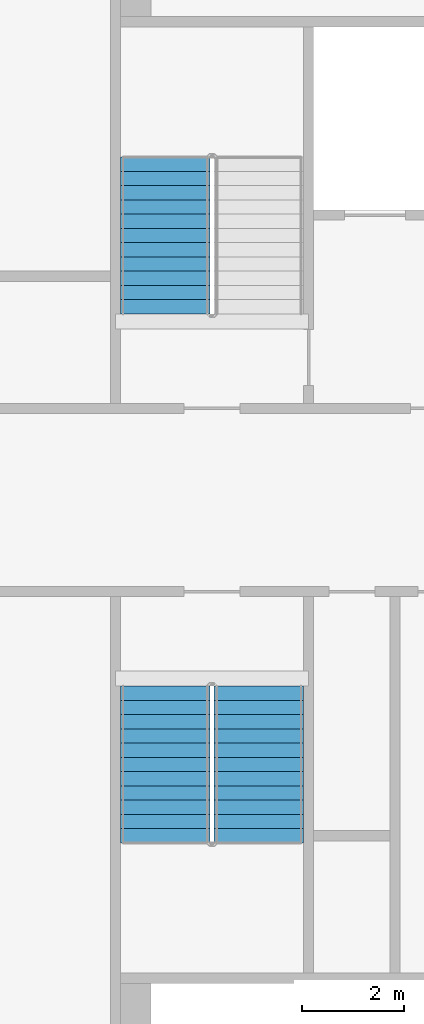
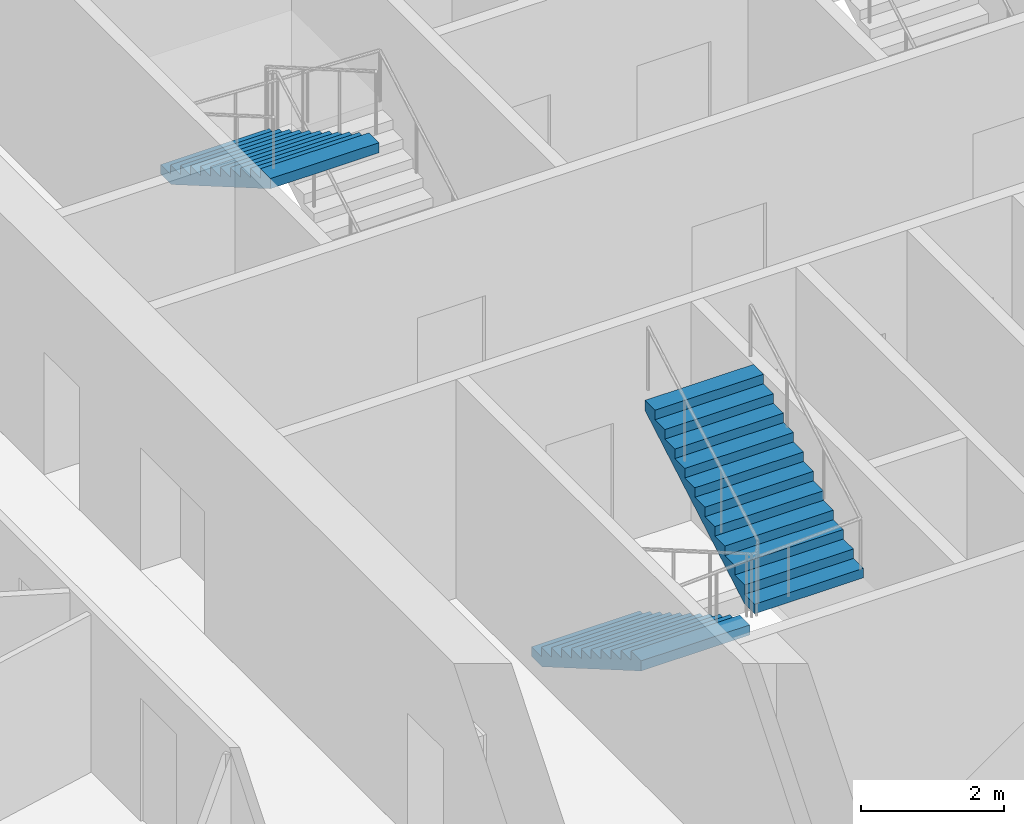
# One storey, part 7 of 14: 3 stair flights, 2 elements without a shape of their own.
"""IFC4 building model written with IfcOpenShell, lengths in metres."""

from ifc_helpers import new_model, si_unit, direction, frame, origin, place, context, subcontext, project, spatial, faceted_brep, material, type_object, element, aggregate, save


model = new_model("IFC4")

# Units and contexts
model_context = context("Model", 3, precision=1e-05, world=origin(), true_north=direction((0.0, 1.0)))
body_context = subcontext(model_context, "Body", "Model", "MODEL_VIEW")
ifc_project = project(units=[si_unit("LENGTHUNIT", "METRE"), si_unit("AREAUNIT", "SQUARE_METRE"), si_unit("VOLUMEUNIT", "CUBIC_METRE"), si_unit("PLANEANGLEUNIT", "RADIAN"), si_unit("MASSUNIT", "GRAM", prefix="KILO")], contexts=[model_context])

# Site, building, storey
site_placement = place(None, origin())
site = spatial("IfcSite", under=ifc_project, at=site_placement, CompositionType="ELEMENT")
building_placement = place(site_placement, origin())
building = spatial("IfcBuilding", under=site, at=building_placement, Name="Tarsis Ring Headquarters", CompositionType="ELEMENT")
storey_placement = place(building_placement, frame((0.0, 0.0, 182.699951171875)))
storey = spatial("IfcBuildingStorey", under=building, at=storey_placement, Name="L42", CompositionType="ELEMENT", Elevation=182.699951171875)

# Stair, stair flight
ifc_material_1 = material(Name="Core stair 1760")
stair_type = type_object("IfcStairType", Name="Core stair 1760", PredefinedType="HALF_TURN_STAIR", material=ifc_material_1)
stair_1_placement = place(storey_placement, origin())
stair_1 = element("IfcStair", 1, at=stair_1_placement, inside=storey, type_object=stair_type, Name="L42 Firefighting stair", PredefinedType="HALF_TURN_STAIR")
ifc_material_2 = material(Name="Concrete C40/50", Category="concrete")
stair_flight_type = type_object("IfcStairFlightType", Name="Core stair flight 1760", PredefinedType="STRAIGHT", material=ifc_material_2)
stair_flight_1_placement = place(storey_placement, frame((-5.419921875, 6.739990234375, 1.949951171875), z_axis=(0.0, 0.0, 1.0), x_axis=(0.0, -1.0, 0.0)))
stair_flight_1 = element("IfcStairFlight", 2, at=stair_flight_1_placement, type_object=stair_flight_type, Name="Stair ST1 flight 2", NumberOfRisers=12, NumberOfTreads=11, PredefinedType="STRAIGHT", RiserHeight=0.1625, TreadLength=0.28, context=body_context, shape_type="Brep", body=[
    faceted_brep([(0.0, 0.8798828125, 0.0), (0.0, 0.8798828125, 0.16259765625), (0.280029296875, 0.8798828125, 0.16259765625), (0.280029296875, 0.8798828125, 0.324951171875), (0.56005859375, 0.8798828125, 0.324951171875), (0.56005859375, 0.8798828125, 0.487548828125), (0.840087890625, 0.8798828125, 0.487548828125), (0.840087890625, 0.8798828125, 0.64990234375), (1.1201171875, 0.8798828125, 0.64990234375), (1.1201171875, 0.8798828125, 0.8125), (1.39990234375, 0.8798828125, 0.8125), (1.39990234375, 0.8798828125, 0.97509765625), (1.679931640625, 0.8798828125, 0.97509765625), (1.679931640625, 0.8798828125, 1.137451171875), (1.9599609375, 0.8798828125, 1.137451171875), (1.9599609375, 0.8798828125, 1.300048828125), (2.239990234375, 0.8798828125, 1.300048828125), (2.239990234375, 0.8798828125, 1.46240234375), (2.52001953125, 0.8798828125, 1.46240234375), (2.52001953125, 0.8798828125, 1.625), (2.800048828125, 0.8798828125, 1.625), (2.800048828125, 0.8798828125, 1.78759765625), (3.080078125, 0.8798828125, 1.78759765625), (3.080078125, 0.8798828125, 1.6142578125), (0.298583984375, 0.8798828125, 0.0), (0.298583984375, -0.8798828125, 0.0), (3.080078125, -0.8798828125, 1.6142578125), (3.080078125, -0.8798828125, 1.78759765625), (2.800048828125, -0.8798828125, 1.78759765625), (2.800048828125, -0.8798828125, 1.625), (2.52001953125, -0.8798828125, 1.625), (2.52001953125, -0.8798828125, 1.46240234375), (2.239990234375, -0.8798828125, 1.46240234375), (2.239990234375, -0.8798828125, 1.300048828125), (1.9599609375, -0.8798828125, 1.300048828125), (1.9599609375, -0.8798828125, 1.137451171875), (1.679931640625, -0.8798828125, 1.137451171875), (1.679931640625, -0.8798828125, 0.97509765625), (1.39990234375, -0.8798828125, 0.97509765625), (1.39990234375, -0.8798828125, 0.8125), (1.1201171875, -0.8798828125, 0.8125), (1.1201171875, -0.8798828125, 0.64990234375), (0.840087890625, -0.8798828125, 0.64990234375), (0.840087890625, -0.8798828125, 0.487548828125), (0.56005859375, -0.8798828125, 0.487548828125), (0.56005859375, -0.8798828125, 0.324951171875), (0.280029296875, -0.8798828125, 0.324951171875), (0.280029296875, -0.8798828125, 0.16259765625), (0.0, -0.8798828125, 0.16259765625), (0.0, -0.8798828125, 0.0), (0.0, -0.43994140625, 0.16259765625), (0.0, -0.43994140625, 0.0), (0.0, 0.0, 0.16259765625), (0.0, 0.0, 0.0), (0.0, 0.43994140625, 0.16259765625), (0.0, 0.43994140625, 0.0), (0.280029296875, -0.43994140625, 0.16259765625), (0.280029296875, 0.0, 0.16259765625), (0.280029296875, 0.43994140625, 0.16259765625), (0.280029296875, -0.43994140625, 0.324951171875), (0.280029296875, 0.0, 0.324951171875), (0.280029296875, 0.43994140625, 0.324951171875), (0.56005859375, -0.43994140625, 0.324951171875), (0.56005859375, 0.0, 0.324951171875), (0.56005859375, 0.43994140625, 0.324951171875), (0.56005859375, -0.43994140625, 0.487548828125), (0.56005859375, 0.0, 0.487548828125), (0.56005859375, 0.43994140625, 0.487548828125), (0.840087890625, -0.43994140625, 0.487548828125), (0.840087890625, 0.0, 0.487548828125), (0.840087890625, 0.43994140625, 0.487548828125), (0.840087890625, -0.43994140625, 0.64990234375), (0.840087890625, 0.0, 0.64990234375), (0.840087890625, 0.43994140625, 0.64990234375), (1.1201171875, -0.43994140625, 0.64990234375), (1.1201171875, 0.0, 0.64990234375), (1.1201171875, 0.43994140625, 0.64990234375), (1.1201171875, -0.43994140625, 0.8125), (1.1201171875, 0.0, 0.8125), (1.1201171875, 0.43994140625, 0.8125), (1.39990234375, -0.43994140625, 0.8125), (1.39990234375, 0.0, 0.8125), (1.39990234375, 0.43994140625, 0.8125), (1.39990234375, -0.43994140625, 0.97509765625), (1.39990234375, 0.0, 0.97509765625), (1.39990234375, 0.43994140625, 0.97509765625), (1.679931640625, -0.43994140625, 0.97509765625), (1.679931640625, 0.0, 0.97509765625), (1.679931640625, 0.43994140625, 0.97509765625), (1.679931640625, -0.43994140625, 1.137451171875), (1.679931640625, 0.0, 1.137451171875), (1.679931640625, 0.43994140625, 1.137451171875), (1.9599609375, -0.43994140625, 1.137451171875), (1.9599609375, 0.0, 1.137451171875), (1.9599609375, 0.43994140625, 1.137451171875), (1.9599609375, -0.43994140625, 1.300048828125), (1.9599609375, 0.0, 1.300048828125), (1.9599609375, 0.43994140625, 1.300048828125), (2.239990234375, -0.43994140625, 1.300048828125), (2.239990234375, 0.0, 1.300048828125), (2.239990234375, 0.43994140625, 1.300048828125), (2.239990234375, -0.43994140625, 1.46240234375), (2.239990234375, 0.0, 1.46240234375), (2.239990234375, 0.43994140625, 1.46240234375), (2.52001953125, -0.43994140625, 1.46240234375), (2.52001953125, 0.0, 1.46240234375), (2.52001953125, 0.43994140625, 1.46240234375), (2.52001953125, -0.43994140625, 1.625), (2.52001953125, 0.0, 1.625), (2.52001953125, 0.43994140625, 1.625), (2.800048828125, -0.43994140625, 1.625), (2.800048828125, 0.0, 1.625), (2.800048828125, 0.43994140625, 1.625), (2.800048828125, -0.43994140625, 1.78759765625), (2.800048828125, 0.0, 1.78759765625), (2.800048828125, 0.43994140625, 1.78759765625), (3.080078125, -0.43994140625, 1.78759765625), (3.080078125, 0.0, 1.78759765625), (3.080078125, 0.43994140625, 1.78759765625), (3.080078125, -0.43994140625, 1.6142578125), (3.080078125, 0.0, 1.6142578125), (3.080078125, 0.43994140625, 1.6142578125), (0.298583984375, -0.43994140625, 0.0), (0.298583984375, 0.0, 0.0), (0.298583984375, 0.43994140625, 0.0)], [[[0, 1, 2, 3, 4, 5, 6, 7, 8, 9, 10, 11, 12, 13, 14, 15, 16, 17, 18, 19, 20, 21, 22, 23, 24]], [[25, 26, 27, 28, 29, 30, 31, 32, 33, 34, 35, 36, 37, 38, 39, 40, 41, 42, 43, 44, 45, 46, 47, 48, 49]], [[49, 48, 50, 51]], [[51, 50, 52, 53]], [[53, 52, 54, 55]], [[55, 54, 1, 0]], [[48, 47, 56, 50]], [[50, 56, 57, 52]], [[52, 57, 58, 54]], [[54, 58, 2, 1]], [[47, 46, 59, 56]], [[56, 59, 60, 57]], [[57, 60, 61, 58]], [[58, 61, 3, 2]], [[46, 45, 62, 59]], [[59, 62, 63, 60]], [[60, 63, 64, 61]], [[61, 64, 4, 3]], [[45, 44, 65, 62]], [[62, 65, 66, 63]], [[63, 66, 67, 64]], [[64, 67, 5, 4]], [[44, 43, 68, 65]], [[65, 68, 69, 66]], [[66, 69, 70, 67]], [[67, 70, 6, 5]], [[43, 42, 71, 68]], [[68, 71, 72, 69]], [[69, 72, 73, 70]], [[70, 73, 7, 6]], [[42, 41, 74, 71]], [[71, 74, 75, 72]], [[72, 75, 76, 73]], [[73, 76, 8, 7]], [[41, 40, 77, 74]], [[74, 77, 78, 75]], [[75, 78, 79, 76]], [[76, 79, 9, 8]], [[40, 39, 80, 77]], [[77, 80, 81, 78]], [[78, 81, 82, 79]], [[79, 82, 10, 9]], [[39, 38, 83, 80]], [[80, 83, 84, 81]], [[81, 84, 85, 82]], [[82, 85, 11, 10]], [[38, 37, 86, 83]], [[83, 86, 87, 84]], [[84, 87, 88, 85]], [[85, 88, 12, 11]], [[37, 36, 89, 86]], [[86, 89, 90, 87]], [[87, 90, 91, 88]], [[88, 91, 13, 12]], [[36, 35, 92, 89]], [[89, 92, 93, 90]], [[90, 93, 94, 91]], [[91, 94, 14, 13]], [[35, 34, 95, 92]], [[92, 95, 96, 93]], [[93, 96, 97, 94]], [[94, 97, 15, 14]], [[34, 33, 98, 95]], [[95, 98, 99, 96]], [[96, 99, 100, 97]], [[97, 100, 16, 15]], [[33, 32, 101, 98]], [[98, 101, 102, 99]], [[99, 102, 103, 100]], [[100, 103, 17, 16]], [[32, 31, 104, 101]], [[101, 104, 105, 102]], [[102, 105, 106, 103]], [[103, 106, 18, 17]], [[31, 30, 107, 104]], [[104, 107, 108, 105]], [[105, 108, 109, 106]], [[106, 109, 19, 18]], [[30, 29, 110, 107]], [[107, 110, 111, 108]], [[108, 111, 112, 109]], [[109, 112, 20, 19]], [[29, 28, 113, 110]], [[110, 113, 114, 111]], [[111, 114, 115, 112]], [[112, 115, 21, 20]], [[28, 27, 116, 113]], [[113, 116, 117, 114]], [[114, 117, 118, 115]], [[115, 118, 22, 21]], [[27, 26, 119, 116]], [[116, 119, 120, 117]], [[117, 120, 121, 118]], [[118, 121, 23, 22]], [[26, 25, 122, 119]], [[119, 122, 123, 120]], [[120, 123, 124, 121]], [[121, 124, 24, 23]], [[25, 49, 51, 122]], [[122, 51, 53, 123]], [[123, 53, 55, 124]], [[124, 55, 0, 24]]]),
])
aggregate(stair_1, [stair_flight_1])

# Stair, stair flights
stair_2_placement = place(storey_placement, origin())
stair_2 = element("IfcStair", 3, at=stair_2_placement, inside=storey, type_object=stair_type, Name="L42 Exit stair C", PredefinedType="HALF_TURN_STAIR")
stair_flight_2_placement = place(storey_placement, frame((-5.419921875, -3.659912109375, 0.0), z_axis=(0.0, 0.0, 1.0), x_axis=(0.0, -1.0, 0.0)))
stair_flight_2 = element("IfcStairFlight", 4, at=stair_flight_2_placement, type_object=stair_flight_type, Name="Stair ST3 flight 1", NumberOfRisers=12, NumberOfTreads=11, PredefinedType="STRAIGHT", RiserHeight=0.1625, TreadLength=0.28, context=body_context, shape_type="Brep", body=[
    faceted_brep([(0.0, 0.8798828125, 0.0), (0.0, 0.8798828125, 0.16259765625), (0.280029296875, 0.8798828125, 0.16259765625), (0.280029296875, 0.8798828125, 0.324951171875), (0.56005859375, 0.8798828125, 0.324951171875), (0.56005859375, 0.8798828125, 0.487548828125), (0.840087890625, 0.8798828125, 0.487548828125), (0.840087890625, 0.8798828125, 0.64990234375), (1.1201171875, 0.8798828125, 0.64990234375), (1.1201171875, 0.8798828125, 0.8125), (1.39990234375, 0.8798828125, 0.8125), (1.39990234375, 0.8798828125, 0.97509765625), (1.679931640625, 0.8798828125, 0.97509765625), (1.679931640625, 0.8798828125, 1.137451171875), (1.9599609375, 0.8798828125, 1.137451171875), (1.9599609375, 0.8798828125, 1.300048828125), (2.239990234375, 0.8798828125, 1.300048828125), (2.239990234375, 0.8798828125, 1.46240234375), (2.52001953125, 0.8798828125, 1.46240234375), (2.52001953125, 0.8798828125, 1.625), (2.800048828125, 0.8798828125, 1.625), (2.800048828125, 0.8798828125, 1.78759765625), (3.080078125, 0.8798828125, 1.78759765625), (3.080078125, 0.8798828125, 1.6142578125), (0.298583984375, 0.8798828125, 0.0), (0.298583984375, -0.8798828125, 0.0), (3.080078125, -0.8798828125, 1.6142578125), (3.080078125, -0.8798828125, 1.78759765625), (2.800048828125, -0.8798828125, 1.78759765625), (2.800048828125, -0.8798828125, 1.625), (2.52001953125, -0.8798828125, 1.625), (2.52001953125, -0.8798828125, 1.46240234375), (2.239990234375, -0.8798828125, 1.46240234375), (2.239990234375, -0.8798828125, 1.300048828125), (1.9599609375, -0.8798828125, 1.300048828125), (1.9599609375, -0.8798828125, 1.137451171875), (1.679931640625, -0.8798828125, 1.137451171875), (1.679931640625, -0.8798828125, 0.97509765625), (1.39990234375, -0.8798828125, 0.97509765625), (1.39990234375, -0.8798828125, 0.8125), (1.1201171875, -0.8798828125, 0.8125), (1.1201171875, -0.8798828125, 0.64990234375), (0.840087890625, -0.8798828125, 0.64990234375), (0.840087890625, -0.8798828125, 0.487548828125), (0.56005859375, -0.8798828125, 0.487548828125), (0.56005859375, -0.8798828125, 0.324951171875), (0.280029296875, -0.8798828125, 0.324951171875), (0.280029296875, -0.8798828125, 0.16259765625), (0.0, -0.8798828125, 0.16259765625), (0.0, -0.8798828125, 0.0), (0.0, -0.43994140625, 0.16259765625), (0.0, -0.43994140625, 0.0), (0.0, 0.0, 0.16259765625), (0.0, 0.0, 0.0), (0.0, 0.43994140625, 0.16259765625), (0.0, 0.43994140625, 0.0), (0.280029296875, -0.43994140625, 0.16259765625), (0.280029296875, 0.0, 0.16259765625), (0.280029296875, 0.43994140625, 0.16259765625), (0.280029296875, -0.43994140625, 0.324951171875), (0.280029296875, 0.0, 0.324951171875), (0.280029296875, 0.43994140625, 0.324951171875), (0.56005859375, -0.43994140625, 0.324951171875), (0.56005859375, 0.0, 0.324951171875), (0.56005859375, 0.43994140625, 0.324951171875), (0.56005859375, -0.43994140625, 0.487548828125), (0.56005859375, 0.0, 0.487548828125), (0.56005859375, 0.43994140625, 0.487548828125), (0.840087890625, -0.43994140625, 0.487548828125), (0.840087890625, 0.0, 0.487548828125), (0.840087890625, 0.43994140625, 0.487548828125), (0.840087890625, -0.43994140625, 0.64990234375), (0.840087890625, 0.0, 0.64990234375), (0.840087890625, 0.43994140625, 0.64990234375), (1.1201171875, -0.43994140625, 0.64990234375), (1.1201171875, 0.0, 0.64990234375), (1.1201171875, 0.43994140625, 0.64990234375), (1.1201171875, -0.43994140625, 0.8125), (1.1201171875, 0.0, 0.8125), (1.1201171875, 0.43994140625, 0.8125), (1.39990234375, -0.43994140625, 0.8125), (1.39990234375, 0.0, 0.8125), (1.39990234375, 0.43994140625, 0.8125), (1.39990234375, -0.43994140625, 0.97509765625), (1.39990234375, 0.0, 0.97509765625), (1.39990234375, 0.43994140625, 0.97509765625), (1.679931640625, -0.43994140625, 0.97509765625), (1.679931640625, 0.0, 0.97509765625), (1.679931640625, 0.43994140625, 0.97509765625), (1.679931640625, -0.43994140625, 1.137451171875), (1.679931640625, 0.0, 1.137451171875), (1.679931640625, 0.43994140625, 1.137451171875), (1.9599609375, -0.43994140625, 1.137451171875), (1.9599609375, 0.0, 1.137451171875), (1.9599609375, 0.43994140625, 1.137451171875), (1.9599609375, -0.43994140625, 1.300048828125), (1.9599609375, 0.0, 1.300048828125), (1.9599609375, 0.43994140625, 1.300048828125), (2.239990234375, -0.43994140625, 1.300048828125), (2.239990234375, 0.0, 1.300048828125), (2.239990234375, 0.43994140625, 1.300048828125), (2.239990234375, -0.43994140625, 1.46240234375), (2.239990234375, 0.0, 1.46240234375), (2.239990234375, 0.43994140625, 1.46240234375), (2.52001953125, -0.43994140625, 1.46240234375), (2.52001953125, 0.0, 1.46240234375), (2.52001953125, 0.43994140625, 1.46240234375), (2.52001953125, -0.43994140625, 1.625), (2.52001953125, 0.0, 1.625), (2.52001953125, 0.43994140625, 1.625), (2.800048828125, -0.43994140625, 1.625), (2.800048828125, 0.0, 1.625), (2.800048828125, 0.43994140625, 1.625), (2.800048828125, -0.43994140625, 1.78759765625), (2.800048828125, 0.0, 1.78759765625), (2.800048828125, 0.43994140625, 1.78759765625), (3.080078125, -0.43994140625, 1.78759765625), (3.080078125, 0.0, 1.78759765625), (3.080078125, 0.43994140625, 1.78759765625), (3.080078125, -0.43994140625, 1.6142578125), (3.080078125, 0.0, 1.6142578125), (3.080078125, 0.43994140625, 1.6142578125), (0.298583984375, -0.43994140625, 0.0), (0.298583984375, 0.0, 0.0), (0.298583984375, 0.43994140625, 0.0)], [[[0, 1, 2, 3, 4, 5, 6, 7, 8, 9, 10, 11, 12, 13, 14, 15, 16, 17, 18, 19, 20, 21, 22, 23, 24]], [[25, 26, 27, 28, 29, 30, 31, 32, 33, 34, 35, 36, 37, 38, 39, 40, 41, 42, 43, 44, 45, 46, 47, 48, 49]], [[49, 48, 50, 51]], [[51, 50, 52, 53]], [[53, 52, 54, 55]], [[55, 54, 1, 0]], [[48, 47, 56, 50]], [[50, 56, 57, 52]], [[52, 57, 58, 54]], [[54, 58, 2, 1]], [[47, 46, 59, 56]], [[56, 59, 60, 57]], [[57, 60, 61, 58]], [[58, 61, 3, 2]], [[46, 45, 62, 59]], [[59, 62, 63, 60]], [[60, 63, 64, 61]], [[61, 64, 4, 3]], [[45, 44, 65, 62]], [[62, 65, 66, 63]], [[63, 66, 67, 64]], [[64, 67, 5, 4]], [[44, 43, 68, 65]], [[65, 68, 69, 66]], [[66, 69, 70, 67]], [[67, 70, 6, 5]], [[43, 42, 71, 68]], [[68, 71, 72, 69]], [[69, 72, 73, 70]], [[70, 73, 7, 6]], [[42, 41, 74, 71]], [[71, 74, 75, 72]], [[72, 75, 76, 73]], [[73, 76, 8, 7]], [[41, 40, 77, 74]], [[74, 77, 78, 75]], [[75, 78, 79, 76]], [[76, 79, 9, 8]], [[40, 39, 80, 77]], [[77, 80, 81, 78]], [[78, 81, 82, 79]], [[79, 82, 10, 9]], [[39, 38, 83, 80]], [[80, 83, 84, 81]], [[81, 84, 85, 82]], [[82, 85, 11, 10]], [[38, 37, 86, 83]], [[83, 86, 87, 84]], [[84, 87, 88, 85]], [[85, 88, 12, 11]], [[37, 36, 89, 86]], [[86, 89, 90, 87]], [[87, 90, 91, 88]], [[88, 91, 13, 12]], [[36, 35, 92, 89]], [[89, 92, 93, 90]], [[90, 93, 94, 91]], [[91, 94, 14, 13]], [[35, 34, 95, 92]], [[92, 95, 96, 93]], [[93, 96, 97, 94]], [[94, 97, 15, 14]], [[34, 33, 98, 95]], [[95, 98, 99, 96]], [[96, 99, 100, 97]], [[97, 100, 16, 15]], [[33, 32, 101, 98]], [[98, 101, 102, 99]], [[99, 102, 103, 100]], [[100, 103, 17, 16]], [[32, 31, 104, 101]], [[101, 104, 105, 102]], [[102, 105, 106, 103]], [[103, 106, 18, 17]], [[31, 30, 107, 104]], [[104, 107, 108, 105]], [[105, 108, 109, 106]], [[106, 109, 19, 18]], [[30, 29, 110, 107]], [[107, 110, 111, 108]], [[108, 111, 112, 109]], [[109, 112, 20, 19]], [[29, 28, 113, 110]], [[110, 113, 114, 111]], [[111, 114, 115, 112]], [[112, 115, 21, 20]], [[28, 27, 116, 113]], [[113, 116, 117, 114]], [[114, 117, 118, 115]], [[115, 118, 22, 21]], [[27, 26, 119, 116]], [[116, 119, 120, 117]], [[117, 120, 121, 118]], [[118, 121, 23, 22]], [[26, 25, 122, 119]], [[119, 122, 123, 120]], [[120, 123, 124, 121]], [[121, 124, 24, 23]], [[25, 49, 51, 122]], [[122, 51, 53, 123]], [[123, 53, 55, 124]], [[124, 55, 0, 24]]]),
])
stair_flight_3_placement = place(storey_placement, frame((-3.580078125, -6.739990234375, 1.949951171875), z_axis=(0.0, 0.0, 1.0), x_axis=(0.0, 1.0, 0.0)))
stair_flight_3 = element("IfcStairFlight", 5, at=stair_flight_3_placement, type_object=stair_flight_type, Name="Stair ST3 flight 2", NumberOfRisers=12, NumberOfTreads=11, PredefinedType="STRAIGHT", RiserHeight=0.1625, TreadLength=0.28, context=body_context, shape_type="Brep", body=[
    faceted_brep([(0.0, 0.8798828125, 0.0), (0.0, 0.8798828125, 0.16259765625), (0.280029296875, 0.8798828125, 0.16259765625), (0.280029296875, 0.8798828125, 0.324951171875), (0.56005859375, 0.8798828125, 0.324951171875), (0.56005859375, 0.8798828125, 0.487548828125), (0.840087890625, 0.8798828125, 0.487548828125), (0.840087890625, 0.8798828125, 0.64990234375), (1.1201171875, 0.8798828125, 0.64990234375), (1.1201171875, 0.8798828125, 0.8125), (1.39990234375, 0.8798828125, 0.8125), (1.39990234375, 0.8798828125, 0.97509765625), (1.679931640625, 0.8798828125, 0.97509765625), (1.679931640625, 0.8798828125, 1.137451171875), (1.9599609375, 0.8798828125, 1.137451171875), (1.9599609375, 0.8798828125, 1.300048828125), (2.239990234375, 0.8798828125, 1.300048828125), (2.239990234375, 0.8798828125, 1.46240234375), (2.52001953125, 0.8798828125, 1.46240234375), (2.52001953125, 0.8798828125, 1.625), (2.800048828125, 0.8798828125, 1.625), (2.800048828125, 0.8798828125, 1.78759765625), (3.080078125, 0.8798828125, 1.78759765625), (3.080078125, 0.8798828125, 1.6142578125), (0.298583984375, 0.8798828125, 0.0), (0.298583984375, -0.8798828125, 0.0), (3.080078125, -0.8798828125, 1.6142578125), (3.080078125, -0.8798828125, 1.78759765625), (2.800048828125, -0.8798828125, 1.78759765625), (2.800048828125, -0.8798828125, 1.625), (2.52001953125, -0.8798828125, 1.625), (2.52001953125, -0.8798828125, 1.46240234375), (2.239990234375, -0.8798828125, 1.46240234375), (2.239990234375, -0.8798828125, 1.300048828125), (1.9599609375, -0.8798828125, 1.300048828125), (1.9599609375, -0.8798828125, 1.137451171875), (1.679931640625, -0.8798828125, 1.137451171875), (1.679931640625, -0.8798828125, 0.97509765625), (1.39990234375, -0.8798828125, 0.97509765625), (1.39990234375, -0.8798828125, 0.8125), (1.1201171875, -0.8798828125, 0.8125), (1.1201171875, -0.8798828125, 0.64990234375), (0.840087890625, -0.8798828125, 0.64990234375), (0.840087890625, -0.8798828125, 0.487548828125), (0.56005859375, -0.8798828125, 0.487548828125), (0.56005859375, -0.8798828125, 0.324951171875), (0.280029296875, -0.8798828125, 0.324951171875), (0.280029296875, -0.8798828125, 0.16259765625), (0.0, -0.8798828125, 0.16259765625), (0.0, -0.8798828125, 0.0), (0.0, -0.43994140625, 0.16259765625), (0.0, -0.43994140625, 0.0), (0.0, 0.0, 0.16259765625), (0.0, 0.0, 0.0), (0.0, 0.43994140625, 0.16259765625), (0.0, 0.43994140625, 0.0), (0.280029296875, -0.43994140625, 0.16259765625), (0.280029296875, 0.0, 0.16259765625), (0.280029296875, 0.43994140625, 0.16259765625), (0.280029296875, -0.43994140625, 0.324951171875), (0.280029296875, 0.0, 0.324951171875), (0.280029296875, 0.43994140625, 0.324951171875), (0.56005859375, -0.43994140625, 0.324951171875), (0.56005859375, 0.0, 0.324951171875), (0.56005859375, 0.43994140625, 0.324951171875), (0.56005859375, -0.43994140625, 0.487548828125), (0.56005859375, 0.0, 0.487548828125), (0.56005859375, 0.43994140625, 0.487548828125), (0.840087890625, -0.43994140625, 0.487548828125), (0.840087890625, 0.0, 0.487548828125), (0.840087890625, 0.43994140625, 0.487548828125), (0.840087890625, -0.43994140625, 0.64990234375), (0.840087890625, 0.0, 0.64990234375), (0.840087890625, 0.43994140625, 0.64990234375), (1.1201171875, -0.43994140625, 0.64990234375), (1.1201171875, 0.0, 0.64990234375), (1.1201171875, 0.43994140625, 0.64990234375), (1.1201171875, -0.43994140625, 0.8125), (1.1201171875, 0.0, 0.8125), (1.1201171875, 0.43994140625, 0.8125), (1.39990234375, -0.43994140625, 0.8125), (1.39990234375, 0.0, 0.8125), (1.39990234375, 0.43994140625, 0.8125), (1.39990234375, -0.43994140625, 0.97509765625), (1.39990234375, 0.0, 0.97509765625), (1.39990234375, 0.43994140625, 0.97509765625), (1.679931640625, -0.43994140625, 0.97509765625), (1.679931640625, 0.0, 0.97509765625), (1.679931640625, 0.43994140625, 0.97509765625), (1.679931640625, -0.43994140625, 1.137451171875), (1.679931640625, 0.0, 1.137451171875), (1.679931640625, 0.43994140625, 1.137451171875), (1.9599609375, -0.43994140625, 1.137451171875), (1.9599609375, 0.0, 1.137451171875), (1.9599609375, 0.43994140625, 1.137451171875), (1.9599609375, -0.43994140625, 1.300048828125), (1.9599609375, 0.0, 1.300048828125), (1.9599609375, 0.43994140625, 1.300048828125), (2.239990234375, -0.43994140625, 1.300048828125), (2.239990234375, 0.0, 1.300048828125), (2.239990234375, 0.43994140625, 1.300048828125), (2.239990234375, -0.43994140625, 1.46240234375), (2.239990234375, 0.0, 1.46240234375), (2.239990234375, 0.43994140625, 1.46240234375), (2.52001953125, -0.43994140625, 1.46240234375), (2.52001953125, 0.0, 1.46240234375), (2.52001953125, 0.43994140625, 1.46240234375), (2.52001953125, -0.43994140625, 1.625), (2.52001953125, 0.0, 1.625), (2.52001953125, 0.43994140625, 1.625), (2.800048828125, -0.43994140625, 1.625), (2.800048828125, 0.0, 1.625), (2.800048828125, 0.43994140625, 1.625), (2.800048828125, -0.43994140625, 1.78759765625), (2.800048828125, 0.0, 1.78759765625), (2.800048828125, 0.43994140625, 1.78759765625), (3.080078125, -0.43994140625, 1.78759765625), (3.080078125, 0.0, 1.78759765625), (3.080078125, 0.43994140625, 1.78759765625), (3.080078125, -0.43994140625, 1.6142578125), (3.080078125, 0.0, 1.6142578125), (3.080078125, 0.43994140625, 1.6142578125), (0.298583984375, -0.43994140625, 0.0), (0.298583984375, 0.0, 0.0), (0.298583984375, 0.43994140625, 0.0)], [[[0, 1, 2, 3, 4, 5, 6, 7, 8, 9, 10, 11, 12, 13, 14, 15, 16, 17, 18, 19, 20, 21, 22, 23, 24]], [[25, 26, 27, 28, 29, 30, 31, 32, 33, 34, 35, 36, 37, 38, 39, 40, 41, 42, 43, 44, 45, 46, 47, 48, 49]], [[49, 48, 50, 51]], [[51, 50, 52, 53]], [[53, 52, 54, 55]], [[55, 54, 1, 0]], [[48, 47, 56, 50]], [[50, 56, 57, 52]], [[52, 57, 58, 54]], [[54, 58, 2, 1]], [[47, 46, 59, 56]], [[56, 59, 60, 57]], [[57, 60, 61, 58]], [[58, 61, 3, 2]], [[46, 45, 62, 59]], [[59, 62, 63, 60]], [[60, 63, 64, 61]], [[61, 64, 4, 3]], [[45, 44, 65, 62]], [[62, 65, 66, 63]], [[63, 66, 67, 64]], [[64, 67, 5, 4]], [[44, 43, 68, 65]], [[65, 68, 69, 66]], [[66, 69, 70, 67]], [[67, 70, 6, 5]], [[43, 42, 71, 68]], [[68, 71, 72, 69]], [[69, 72, 73, 70]], [[70, 73, 7, 6]], [[42, 41, 74, 71]], [[71, 74, 75, 72]], [[72, 75, 76, 73]], [[73, 76, 8, 7]], [[41, 40, 77, 74]], [[74, 77, 78, 75]], [[75, 78, 79, 76]], [[76, 79, 9, 8]], [[40, 39, 80, 77]], [[77, 80, 81, 78]], [[78, 81, 82, 79]], [[79, 82, 10, 9]], [[39, 38, 83, 80]], [[80, 83, 84, 81]], [[81, 84, 85, 82]], [[82, 85, 11, 10]], [[38, 37, 86, 83]], [[83, 86, 87, 84]], [[84, 87, 88, 85]], [[85, 88, 12, 11]], [[37, 36, 89, 86]], [[86, 89, 90, 87]], [[87, 90, 91, 88]], [[88, 91, 13, 12]], [[36, 35, 92, 89]], [[89, 92, 93, 90]], [[90, 93, 94, 91]], [[91, 94, 14, 13]], [[35, 34, 95, 92]], [[92, 95, 96, 93]], [[93, 96, 97, 94]], [[94, 97, 15, 14]], [[34, 33, 98, 95]], [[95, 98, 99, 96]], [[96, 99, 100, 97]], [[97, 100, 16, 15]], [[33, 32, 101, 98]], [[98, 101, 102, 99]], [[99, 102, 103, 100]], [[100, 103, 17, 16]], [[32, 31, 104, 101]], [[101, 104, 105, 102]], [[102, 105, 106, 103]], [[103, 106, 18, 17]], [[31, 30, 107, 104]], [[104, 107, 108, 105]], [[105, 108, 109, 106]], [[106, 109, 19, 18]], [[30, 29, 110, 107]], [[107, 110, 111, 108]], [[108, 111, 112, 109]], [[109, 112, 20, 19]], [[29, 28, 113, 110]], [[110, 113, 114, 111]], [[111, 114, 115, 112]], [[112, 115, 21, 20]], [[28, 27, 116, 113]], [[113, 116, 117, 114]], [[114, 117, 118, 115]], [[115, 118, 22, 21]], [[27, 26, 119, 116]], [[116, 119, 120, 117]], [[117, 120, 121, 118]], [[118, 121, 23, 22]], [[26, 25, 122, 119]], [[119, 122, 123, 120]], [[120, 123, 124, 121]], [[121, 124, 24, 23]], [[25, 49, 51, 122]], [[122, 51, 53, 123]], [[123, 53, 55, 124]], [[124, 55, 0, 24]]]),
])
aggregate(stair_2, [stair_flight_2, stair_flight_3])

save(model, "model.ifc")
